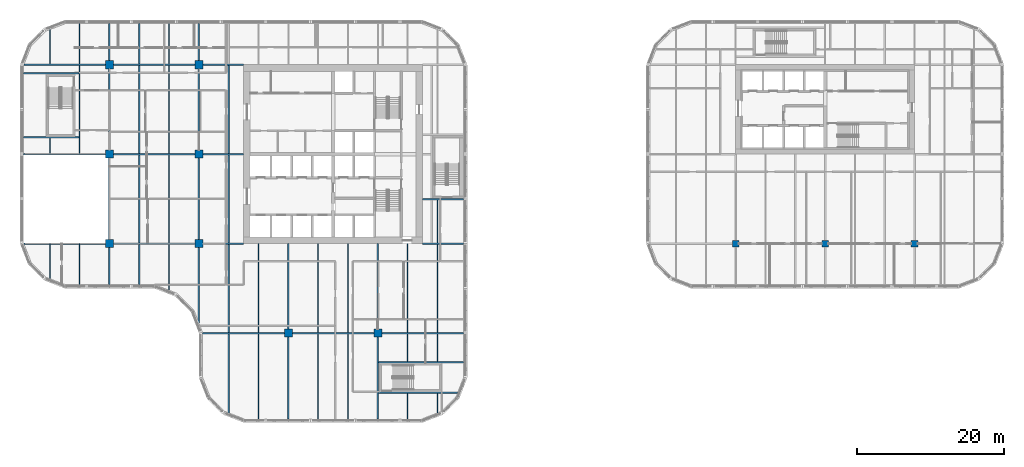
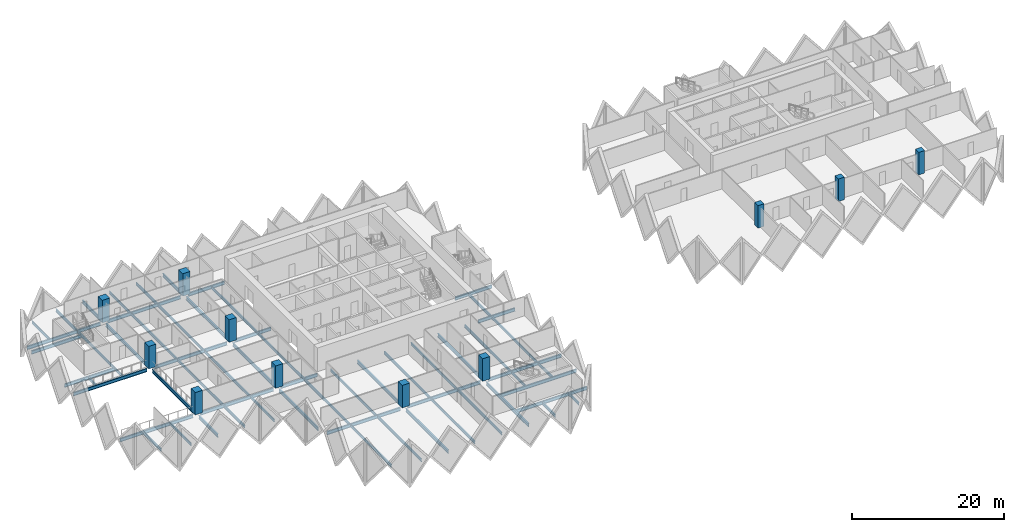
# One storey, part 1 of 18: 61 beams, 11 columns.
"""IFC4 building model written with IfcOpenShell, lengths in metres."""

from ifc_helpers import new_model, si_unit, direction, frame, origin, origin_2d, place, context, subcontext, project, spatial, rectangle, i_section, extrude, material, material_profile, profile_set, type_object, element, save


model = new_model("IFC4")

# Units and contexts
model_context = context("Model", 3, precision=1e-05, world=origin(), true_north=direction((0.0, 1.0)))
body_context = subcontext(model_context, "Body", "Model", "MODEL_VIEW")
ifc_project = project(units=[si_unit("LENGTHUNIT", "METRE"), si_unit("AREAUNIT", "SQUARE_METRE"), si_unit("VOLUMEUNIT", "CUBIC_METRE"), si_unit("PLANEANGLEUNIT", "RADIAN"), si_unit("MASSUNIT", "GRAM", prefix="KILO")], contexts=[model_context])

# Site, building, storey
site_placement = place(None, origin())
site = spatial("IfcSite", under=ifc_project, at=site_placement, CompositionType="ELEMENT")
building_placement = place(site_placement, origin())
building = spatial("IfcBuilding", under=site, at=building_placement, Name="Tessera Gate Towers", CompositionType="ELEMENT")
storey_placement = place(building_placement, frame((0.0, 0.0, 56.199951171875)))
storey = spatial("IfcBuildingStorey", under=building, at=storey_placement, Name="L13", CompositionType="ELEMENT", Elevation=56.199951171875)

# Columns
ifc_material_1 = material(Name="Concrete C70/85", Category="concrete")
ifc_material_profile_1 = material_profile(ifc_material_1, rectangle(XDim=1.10009765625, YDim=1.10009765625, at=origin_2d()), Name="RC 1100x1100")
ifc_profile_set_1 = profile_set([ifc_material_profile_1], Name="Concrete C70/85")
column_type_1 = type_object("IfcColumnType", Name="COLUMN RC 1100x1100", PredefinedType="COLUMN", material=ifc_profile_set_1)
for number, where, z_axis, x_axis, name in (
    (1, (12.199951171875, 24.39990234375, 0.0), (0.0, 0.0, 1.0), (1.0, 0.0, 0.0), "T1-COL-2C-L13"),
    (2, (12.199951171875, 36.60009765625, 0.0), (0.0, 0.0, 1.0), (1.0, 0.0, 0.0), "T1-COL-2D-L13"),
    (3, (12.199951171875, 48.800048828125, 0.0), (0.0, 0.0, 1.0), (1.0, 0.0, 0.0), "T1-COL-2E-L13"),
    (4, (24.39990234375, 24.39990234375, 0.0), (0.0, 0.0, 1.0), (1.0, 0.0, 0.0), "T1-COL-3C-L13"),
    (5, (24.39990234375, 36.60009765625, 0.0), (0.0, 0.0, 1.0), (1.0, 0.0, 0.0), "T1-COL-3D-L13"),
    (6, (24.39990234375, 48.800048828125, 0.0), (0.0, 0.0, 1.0), (1.0, 0.0, 0.0), "T1-COL-3E-L13"),
    (7, (36.60009765625, 12.199951171875, 0.0), (0.0, 0.0, 1.0), (1.0, 0.0, 0.0), "T1-COL-4B-L13"),
    (8, (48.800048828125, 12.199951171875, 0.0), (0.0, 0.0, 1.0), (1.0, 0.0, 0.0), "T1-COL-5B-L13"),
):
    element("IfcColumn", number, at=place(storey_placement, frame(where, z_axis=z_axis, x_axis=x_axis)), inside=storey, type_object=column_type_1, Name=name, PredefinedType="COLUMN", context=body_context, shape_type="SweptSolid", body=[
        extrude(rectangle(XDim=1.10009765625, YDim=1.10009765625, at=origin_2d()), origin(), (0.0, 0.0, 1.0), 3.60009765625),
    ])
ifc_material_2 = material(Name="Concrete C70/85", Category="concrete")
ifc_material_profile_2 = material_profile(ifc_material_2, rectangle(XDim=0.89990234375, YDim=0.89990234375, at=origin_2d()), Name="RC 900x900")
ifc_profile_set_2 = profile_set([ifc_material_profile_2], Name="Concrete C70/85")
column_type_2 = type_object("IfcColumnType", Name="COLUMN RC 900x900", PredefinedType="COLUMN", material=ifc_profile_set_2)
for number, where, z_axis, x_axis, name in (
    (9, (97.60009765625, 24.39990234375, 0.0), (0.0, 0.0, 1.0), (1.0, 0.0, 0.0), "T2-COL-9C-L13"),
    (10, (109.800048828125, 24.39990234375, 0.0), (0.0, 0.0, 1.0), (1.0, 0.0, 0.0), "T2-COL-10C-L13"),
    (11, (122.0, 24.39990234375, 0.0), (0.0, 0.0, 1.0), (1.0, 0.0, 0.0), "T2-COL-11C-L13"),
):
    element("IfcColumn", number, at=place(storey_placement, frame(where, z_axis=z_axis, x_axis=x_axis)), inside=storey, type_object=column_type_2, Name=name, PredefinedType="COLUMN", context=body_context, shape_type="SweptSolid", body=[
        extrude(rectangle(XDim=0.89990234375, YDim=0.89990234375, at=origin_2d()), origin(), (0.0, 0.0, 1.0), 3.60009765625),
    ])

# Beams
ifc_material_3 = material(Name="Steel 350W", Category="steel")
ifc_material_profile_3 = material_profile(ifc_material_3, i_section(OverallWidth=0.208984375, OverallDepth=0.532958984375, WebThickness=0.01025390625, FlangeThickness=0.015625, at=origin_2d()), Name="W530x92")
ifc_profile_set_3 = profile_set([ifc_material_profile_3], Name="Steel 350W")
beam_type_1 = type_object("IfcBeamType", Name="FLOOR GIRDER W530x92", PredefinedType="BEAM", material=ifc_profile_set_3)
beam_1_placement = place(storey_placement, frame((24.89892578125, 12.199951171875, -0.466552734375), z_axis=(1.0, 0.0, 0.0), x_axis=(0.0, 1.0, 0.0)))
element("IfcBeam", 12, at=beam_1_placement, inside=storey, type_object=beam_type_1, Name="T1-GD-L13-1871", PredefinedType="BEAM", context=body_context, shape_type="SweptSolid", body=[
    extrude(i_section(OverallWidth=0.208984375, OverallDepth=0.532958984375, WebThickness=0.01025390625, FlangeThickness=0.015625, at=origin_2d()), origin(), (0.0, 0.0, 1.0), 11.151123046875),
])
beam_2_placement = place(storey_placement, frame((37.14990234375, 12.199951171875, -0.466552734375), z_axis=(1.0, 0.0, 0.0), x_axis=(0.0, 1.0, 0.0)))
element("IfcBeam", 13, at=beam_2_placement, inside=storey, type_object=beam_type_1, Name="T1-GD-L13-1872", PredefinedType="BEAM", context=body_context, shape_type="SweptSolid", body=[
    extrude(i_section(OverallWidth=0.208984375, OverallDepth=0.532958984375, WebThickness=0.01025390625, FlangeThickness=0.015625, at=origin_2d()), origin(), (0.0, 0.0, 1.0), 11.10009765625),
])
beam_3_placement = place(storey_placement, frame((49.35009765625, 12.199951171875, -0.466552734375), z_axis=(1.0, 0.0, 0.0), x_axis=(0.0, 1.0, 0.0)))
element("IfcBeam", 14, at=beam_3_placement, inside=storey, type_object=beam_type_1, Name="T1-GD-L13-1873", PredefinedType="BEAM", context=body_context, shape_type="SweptSolid", body=[
    extrude(i_section(OverallWidth=0.208984375, OverallDepth=0.532958984375, WebThickness=0.01025390625, FlangeThickness=0.015625, at=origin_2d()), origin(), (0.0, 0.0, 1.0), 11.15087890625),
])
beam_4_placement = place(storey_placement, frame((0.534912109375, 24.39990234375, -0.466552734375), z_axis=(1.0, 0.0, 0.0), x_axis=(0.0, 1.0, 0.0)))
element("IfcBeam", 15, at=beam_4_placement, inside=storey, type_object=beam_type_1, Name="T1-GD-L13-1874", PredefinedType="BEAM", context=body_context, shape_type="SweptSolid", body=[
    extrude(i_section(OverallWidth=0.208984375, OverallDepth=0.532958984375, WebThickness=0.01025390625, FlangeThickness=0.015625, at=origin_2d()), origin(), (0.0, 0.0, 1.0), 11.114990234375),
])
beam_5_placement = place(storey_placement, frame((12.75, 24.39990234375, -0.466552734375), z_axis=(1.0, 0.0, 0.0), x_axis=(0.0, 1.0, 0.0)))
element("IfcBeam", 16, at=beam_5_placement, inside=storey, type_object=beam_type_1, Name="T1-GD-L13-1875", PredefinedType="BEAM", context=body_context, shape_type="SweptSolid", body=[
    extrude(i_section(OverallWidth=0.208984375, OverallDepth=0.532958984375, WebThickness=0.01025390625, FlangeThickness=0.015625, at=origin_2d()), origin(), (0.0, 0.0, 1.0), 11.10009765625),
])
beam_6_placement = place(storey_placement, frame((24.949951171875, 24.39990234375, -0.466552734375), z_axis=(1.0, 0.0, 0.0), x_axis=(0.0, 1.0, 0.0)))
element("IfcBeam", 17, at=beam_6_placement, inside=storey, type_object=beam_type_1, Name="T1-GD-L13-1876", PredefinedType="BEAM", context=body_context, shape_type="SweptSolid", body=[
    extrude(i_section(OverallWidth=0.208984375, OverallDepth=0.532958984375, WebThickness=0.01025390625, FlangeThickness=0.015625, at=origin_2d()), origin(), (0.0, 0.0, 1.0), 5.549072265625),
])
beam_7_placement = place(storey_placement, frame((54.90087890625, 24.39990234375, -0.466552734375), z_axis=(1.0, 0.0, 0.0), x_axis=(0.0, 1.0, 0.0)))
element("IfcBeam", 18, at=beam_7_placement, inside=storey, type_object=beam_type_1, Name="T1-GD-L13-1877", PredefinedType="BEAM", context=body_context, shape_type="SweptSolid", body=[
    extrude(i_section(OverallWidth=0.208984375, OverallDepth=0.532958984375, WebThickness=0.01025390625, FlangeThickness=0.015625, at=origin_2d()), origin(), (0.0, 0.0, 1.0), 5.60009765625),
])
beam_8_placement = place(storey_placement, frame((0.4990234375, 36.60009765625, -0.466552734375), z_axis=(1.0, 0.0, 0.0), x_axis=(0.0, 1.0, 0.0)))
element("IfcBeam", 19, at=beam_8_placement, inside=storey, type_object=beam_type_1, Name="T1-GD-L13-1878", PredefinedType="BEAM", context=body_context, shape_type="SweptSolid", body=[
    extrude(i_section(OverallWidth=0.208984375, OverallDepth=0.532958984375, WebThickness=0.01025390625, FlangeThickness=0.015625, at=origin_2d()), origin(), (0.0, 0.0, 1.0), 11.15087890625),
])
beam_9_placement = place(storey_placement, frame((12.75, 36.60009765625, -0.466552734375), z_axis=(1.0, 0.0, 0.0), x_axis=(0.0, 1.0, 0.0)))
element("IfcBeam", 20, at=beam_9_placement, inside=storey, type_object=beam_type_1, Name="T1-GD-L13-1879", PredefinedType="BEAM", context=body_context, shape_type="SweptSolid", body=[
    extrude(i_section(OverallWidth=0.208984375, OverallDepth=0.532958984375, WebThickness=0.01025390625, FlangeThickness=0.015625, at=origin_2d()), origin(), (0.0, 0.0, 1.0), 11.10009765625),
])
beam_10_placement = place(storey_placement, frame((24.949951171875, 36.60009765625, -0.466552734375), z_axis=(1.0, 0.0, 0.0), x_axis=(0.0, 1.0, 0.0)))
element("IfcBeam", 21, at=beam_10_placement, inside=storey, type_object=beam_type_1, Name="T1-GD-L13-1880", PredefinedType="BEAM", context=body_context, shape_type="SweptSolid", body=[
    extrude(i_section(OverallWidth=0.208984375, OverallDepth=0.532958984375, WebThickness=0.01025390625, FlangeThickness=0.015625, at=origin_2d()), origin(), (0.0, 0.0, 1.0), 5.551025390625),
])
beam_11_placement = place(storey_placement, frame((0.534912109375, 48.800048828125, -0.466552734375), z_axis=(1.0, 0.0, 0.0), x_axis=(0.0, 1.0, 0.0)))
element("IfcBeam", 22, at=beam_11_placement, inside=storey, type_object=beam_type_1, Name="T1-GD-L13-1882", PredefinedType="BEAM", context=body_context, shape_type="SweptSolid", body=[
    extrude(i_section(OverallWidth=0.208984375, OverallDepth=0.532958984375, WebThickness=0.01025390625, FlangeThickness=0.015625, at=origin_2d()), origin(), (0.0, 0.0, 1.0), 11.114990234375),
])
beam_12_placement = place(storey_placement, frame((12.75, 48.800048828125, -0.466552734375), z_axis=(1.0, 0.0, 0.0), x_axis=(0.0, 1.0, 0.0)))
element("IfcBeam", 23, at=beam_12_placement, inside=storey, type_object=beam_type_1, Name="T1-GD-L13-1883", PredefinedType="BEAM", context=body_context, shape_type="SweptSolid", body=[
    extrude(i_section(OverallWidth=0.208984375, OverallDepth=0.532958984375, WebThickness=0.01025390625, FlangeThickness=0.015625, at=origin_2d()), origin(), (0.0, 0.0, 1.0), 11.10009765625),
])
beam_13_placement = place(storey_placement, frame((24.949951171875, 48.800048828125, -0.466552734375), z_axis=(1.0, 0.0, 0.0), x_axis=(0.0, 1.0, 0.0)))
element("IfcBeam", 24, at=beam_13_placement, inside=storey, type_object=beam_type_1, Name="T1-GD-L13-1884", PredefinedType="BEAM", context=body_context, shape_type="SweptSolid", body=[
    extrude(i_section(OverallWidth=0.208984375, OverallDepth=0.532958984375, WebThickness=0.01025390625, FlangeThickness=0.015625, at=origin_2d()), origin(), (0.0, 0.0, 1.0), 5.549072265625),
])
beam_14_placement = place(storey_placement, frame((12.199951171875, 18.799072265625, -0.466552734375), z_axis=(0.0, 1.0, 0.0), x_axis=(-1.0, 0.0, 0.0)))
element("IfcBeam", 25, at=beam_14_placement, inside=storey, type_object=beam_type_1, Name="T1-GD-L13-1886", PredefinedType="BEAM", context=body_context, shape_type="SweptSolid", body=[
    extrude(i_section(OverallWidth=0.208984375, OverallDepth=0.532958984375, WebThickness=0.01025390625, FlangeThickness=0.015625, at=origin_2d()), origin(), (0.0, 0.0, 1.0), 5.051025390625),
])
for number, where, z_axis, x_axis, name in (
    (26, (12.199951171875, 24.949951171875, -0.466552734375), (0.0, 1.0, 0.0), (-1.0, 0.0, 0.0), "T1-GD-L13-1887"),
    (27, (12.199951171875, 37.14990234375, -0.466552734375), (0.0, 1.0, 0.0), (-1.0, 0.0, 0.0), "T1-GD-L13-1888"),
):
    element("IfcBeam", number, at=place(storey_placement, frame(where, z_axis=z_axis, x_axis=x_axis)), inside=storey, type_object=beam_type_1, Name=name, PredefinedType="BEAM", context=body_context, shape_type="SweptSolid", body=[
        extrude(i_section(OverallWidth=0.208984375, OverallDepth=0.532958984375, WebThickness=0.01025390625, FlangeThickness=0.015625, at=origin_2d()), origin(), (0.0, 0.0, 1.0), 11.10009765625),
    ])
beam_15_placement = place(storey_placement, frame((12.199951171875, 49.35009765625, -0.466552734375), z_axis=(0.0, 1.0, 0.0), x_axis=(-1.0, 0.0, 0.0)))
element("IfcBeam", 28, at=beam_15_placement, inside=storey, type_object=beam_type_1, Name="T1-GD-L13-1889", PredefinedType="BEAM", context=body_context, shape_type="SweptSolid", body=[
    extrude(i_section(OverallWidth=0.208984375, OverallDepth=0.532958984375, WebThickness=0.01025390625, FlangeThickness=0.015625, at=origin_2d()), origin(), (0.0, 0.0, 1.0), 5.05078125),
])
beam_16_placement = place(storey_placement, frame((24.39990234375, 13.58642578125, -0.466552734375), z_axis=(0.0, 1.0, 0.0), x_axis=(-1.0, 0.0, 0.0)))
element("IfcBeam", 29, at=beam_16_placement, inside=storey, type_object=beam_type_1, Name="T1-GD-L13-1890", PredefinedType="BEAM", context=body_context, shape_type="SweptSolid", body=[
    extrude(i_section(OverallWidth=0.208984375, OverallDepth=0.532958984375, WebThickness=0.01025390625, FlangeThickness=0.015625, at=origin_2d()), origin(), (0.0, 0.0, 1.0), 10.263671875),
])
for number, where, z_axis, x_axis, name in (
    (30, (24.39990234375, 24.949951171875, -0.466552734375), (0.0, 1.0, 0.0), (-1.0, 0.0, 0.0), "T1-GD-L13-1891"),
    (31, (24.39990234375, 37.14990234375, -0.466552734375), (0.0, 1.0, 0.0), (-1.0, 0.0, 0.0), "T1-GD-L13-1892"),
):
    element("IfcBeam", number, at=place(storey_placement, frame(where, z_axis=z_axis, x_axis=x_axis)), inside=storey, type_object=beam_type_1, Name=name, PredefinedType="BEAM", context=body_context, shape_type="SweptSolid", body=[
        extrude(i_section(OverallWidth=0.208984375, OverallDepth=0.532958984375, WebThickness=0.01025390625, FlangeThickness=0.015625, at=origin_2d()), origin(), (0.0, 0.0, 1.0), 11.10009765625),
    ])
beam_17_placement = place(storey_placement, frame((24.39990234375, 49.35009765625, -0.466552734375), z_axis=(0.0, 1.0, 0.0), x_axis=(-1.0, 0.0, 0.0)))
element("IfcBeam", 32, at=beam_17_placement, inside=storey, type_object=beam_type_1, Name="T1-GD-L13-1893", PredefinedType="BEAM", context=body_context, shape_type="SweptSolid", body=[
    extrude(i_section(OverallWidth=0.208984375, OverallDepth=0.532958984375, WebThickness=0.01025390625, FlangeThickness=0.015625, at=origin_2d()), origin(), (0.0, 0.0, 1.0), 5.05078125),
])
beam_18_placement = place(storey_placement, frame((36.60009765625, 0.4990234375, -0.466552734375), z_axis=(0.0, 1.0, 0.0), x_axis=(-1.0, 0.0, 0.0)))
element("IfcBeam", 33, at=beam_18_placement, inside=storey, type_object=beam_type_1, Name="T1-GD-L13-1894", PredefinedType="BEAM", context=body_context, shape_type="SweptSolid", body=[
    extrude(i_section(OverallWidth=0.208984375, OverallDepth=0.532958984375, WebThickness=0.01025390625, FlangeThickness=0.015625, at=origin_2d()), origin(), (0.0, 0.0, 1.0), 11.15087890625),
])
beam_19_placement = place(storey_placement, frame((36.60009765625, 12.75, -0.466552734375), z_axis=(0.0, 1.0, 0.0), x_axis=(-1.0, 0.0, 0.0)))
element("IfcBeam", 34, at=beam_19_placement, inside=storey, type_object=beam_type_1, Name="T1-GD-L13-1895", PredefinedType="BEAM", context=body_context, shape_type="SweptSolid", body=[
    extrude(i_section(OverallWidth=0.208984375, OverallDepth=0.532958984375, WebThickness=0.01025390625, FlangeThickness=0.015625, at=origin_2d()), origin(), (0.0, 0.0, 1.0), 11.64990234375),
])
beam_20_placement = place(storey_placement, frame((48.800048828125, 0.4990234375, -0.466552734375), z_axis=(0.0, 1.0, 0.0), x_axis=(-1.0, 0.0, 0.0)))
element("IfcBeam", 35, at=beam_20_placement, inside=storey, type_object=beam_type_1, Name="T1-GD-L13-1896", PredefinedType="BEAM", context=body_context, shape_type="SweptSolid", body=[
    extrude(i_section(OverallWidth=0.208984375, OverallDepth=0.532958984375, WebThickness=0.01025390625, FlangeThickness=0.015625, at=origin_2d()), origin(), (0.0, 0.0, 1.0), 11.15087890625),
])
beam_21_placement = place(storey_placement, frame((48.800048828125, 12.75, -0.466552734375), z_axis=(0.0, 1.0, 0.0), x_axis=(-1.0, 0.0, 0.0)))
element("IfcBeam", 36, at=beam_21_placement, inside=storey, type_object=beam_type_1, Name="T1-GD-L13-1897", PredefinedType="BEAM", context=body_context, shape_type="SweptSolid", body=[
    extrude(i_section(OverallWidth=0.208984375, OverallDepth=0.532958984375, WebThickness=0.01025390625, FlangeThickness=0.015625, at=origin_2d()), origin(), (0.0, 0.0, 1.0), 11.64990234375),
])
for number, where, z_axis, x_axis, name in (
    (37, (0.4990234375, 38.8798828125, -0.466552734375), (1.0, 0.0, 0.0), (0.0, 1.0, 0.0), "T1-GD-L13-1898"),
    (38, (0.4990234375, 47.6201171875, -0.466552734375), (1.0, 0.0, 0.0), (0.0, 1.0, 0.0), "T1-GD-L13-1899"),
):
    element("IfcBeam", number, at=place(storey_placement, frame(where, z_axis=z_axis, x_axis=x_axis)), inside=storey, type_object=beam_type_1, Name=name, PredefinedType="BEAM", context=body_context, shape_type="SweptSolid", body=[
        extrude(i_section(OverallWidth=0.208984375, OverallDepth=0.532958984375, WebThickness=0.01025390625, FlangeThickness=0.015625, at=origin_2d()), origin(), (0.0, 0.0, 1.0), 7.557861328125),
    ])
beam_22_placement = place(storey_placement, frame((48.87646484375, 4.080078125, -0.466552734375), z_axis=(1.0, 0.0, 0.0), x_axis=(0.0, 1.0, 0.0)))
element("IfcBeam", 39, at=beam_22_placement, inside=storey, type_object=beam_type_1, Name="T1-GD-L13-1900", PredefinedType="BEAM", context=body_context, shape_type="SweptSolid", body=[
    extrude(i_section(OverallWidth=0.208984375, OverallDepth=0.532958984375, WebThickness=0.01025390625, FlangeThickness=0.015625, at=origin_2d()), origin(), (0.0, 0.0, 1.0), 10.809326171875),
])
beam_23_placement = place(storey_placement, frame((48.87646484375, 8.219970703125, -0.466552734375), z_axis=(1.0, 0.0, 0.0), x_axis=(0.0, 1.0, 0.0)))
element("IfcBeam", 40, at=beam_23_placement, inside=storey, type_object=beam_type_1, Name="T1-GD-L13-1901", PredefinedType="BEAM", context=body_context, shape_type="SweptSolid", body=[
    extrude(i_section(OverallWidth=0.208984375, OverallDepth=0.532958984375, WebThickness=0.01025390625, FlangeThickness=0.015625, at=origin_2d()), origin(), (0.0, 0.0, 1.0), 11.62451171875),
])
beam_24_placement = place(storey_placement, frame((54.89892578125, 30.47998046875, -0.466552734375), z_axis=(1.0, 0.0, 0.0), x_axis=(0.0, 1.0, 0.0)))
element("IfcBeam", 41, at=beam_24_placement, inside=storey, type_object=beam_type_1, Name="T1-GD-L13-1902", PredefinedType="BEAM", context=body_context, shape_type="SweptSolid", body=[
    extrude(i_section(OverallWidth=0.208984375, OverallDepth=0.532958984375, WebThickness=0.01025390625, FlangeThickness=0.015625, at=origin_2d()), origin(), (0.0, 0.0, 1.0), 5.60205078125),
])
ifc_material_4 = material(Name="Steel 350W", Category="steel")
ifc_material_profile_4 = material_profile(ifc_material_4, i_section(OverallWidth=0.153076171875, OverallDepth=0.455078125, WebThickness=0.008056640625, FlangeThickness=0.01318359375, at=origin_2d()), Name="W460x60")
ifc_profile_set_4 = profile_set([ifc_material_profile_4], Name="Steel 350W")
beam_type_2 = type_object("IfcBeamType", Name="FLOOR SECONDARY W460x60", PredefinedType="BEAM", material=ifc_profile_set_4)
beam_25_placement = place(storey_placement, frame((4.066650390625, 19.620361328125, -0.427490234375), z_axis=(0.0, 1.0, 0.0), x_axis=(-1.0, 0.0, 0.0)))
element("IfcBeam", 42, at=beam_25_placement, inside=storey, type_object=beam_type_2, Name="T1-BM-L13-1905", PredefinedType="BEAM", context=body_context, shape_type="SweptSolid", body=[
    extrude(i_section(OverallWidth=0.153076171875, OverallDepth=0.455078125, WebThickness=0.008056640625, FlangeThickness=0.01318359375, at=origin_2d()), origin(), (0.0, 0.0, 1.0), 4.779541015625),
])
beam_26_placement = place(storey_placement, frame((4.066650390625, 36.70458984375, -0.427490234375), z_axis=(0.0, 1.0, 0.0), x_axis=(-1.0, 0.0, 0.0)))
element("IfcBeam", 43, at=beam_26_placement, inside=storey, type_object=beam_type_2, Name="T1-BM-L13-1906", PredefinedType="BEAM", context=body_context, shape_type="SweptSolid", body=[
    extrude(i_section(OverallWidth=0.153076171875, OverallDepth=0.455078125, WebThickness=0.008056640625, FlangeThickness=0.01318359375, at=origin_2d()), origin(), (0.0, 0.0, 1.0), 2.07080078125),
])
beam_27_placement = place(storey_placement, frame((4.066650390625, 48.904541015625, -0.427490234375), z_axis=(0.0, 1.0, 0.0), x_axis=(-1.0, 0.0, 0.0)))
element("IfcBeam", 44, at=beam_27_placement, inside=storey, type_object=beam_type_2, Name="T1-BM-L13-1907", PredefinedType="BEAM", context=body_context, shape_type="SweptSolid", body=[
    extrude(i_section(OverallWidth=0.153076171875, OverallDepth=0.455078125, WebThickness=0.008056640625, FlangeThickness=0.01318359375, at=origin_2d()), origin(), (0.0, 0.0, 1.0), 4.675048828125),
])
beam_28_placement = place(storey_placement, frame((8.13330078125, 18.800048828125, -0.427490234375), z_axis=(0.0, 1.0, 0.0), x_axis=(-1.0, 0.0, 0.0)))
element("IfcBeam", 45, at=beam_28_placement, inside=storey, type_object=beam_type_2, Name="T1-BM-L13-1908", PredefinedType="BEAM", context=body_context, shape_type="SweptSolid", body=[
    extrude(i_section(OverallWidth=0.153076171875, OverallDepth=0.455078125, WebThickness=0.008056640625, FlangeThickness=0.01318359375, at=origin_2d()), origin(), (0.0, 0.0, 1.0), 5.599853515625),
])
beam_29_placement = place(storey_placement, frame((8.13330078125, 36.70458984375, -0.427490234375), z_axis=(0.0, 1.0, 0.0), x_axis=(-1.0, 0.0, 0.0)))
element("IfcBeam", 46, at=beam_29_placement, inside=storey, type_object=beam_type_2, Name="T1-BM-L13-1909", PredefinedType="BEAM", context=body_context, shape_type="SweptSolid", body=[
    extrude(i_section(OverallWidth=0.153076171875, OverallDepth=0.455078125, WebThickness=0.008056640625, FlangeThickness=0.01318359375, at=origin_2d()), origin(), (0.0, 0.0, 1.0), 11.990966796875),
])
for number, where, z_axis, x_axis, name in (
    (47, (8.13330078125, 48.904541015625, -0.427490234375), (0.0, 1.0, 0.0), (-1.0, 0.0, 0.0), "T1-BM-L13-1910"),
    (48, (16.2666015625, 18.800048828125, -0.427490234375), (0.0, 1.0, 0.0), (-1.0, 0.0, 0.0), "T1-BM-L13-1911"),
):
    element("IfcBeam", number, at=place(storey_placement, frame(where, z_axis=z_axis, x_axis=x_axis)), inside=storey, type_object=beam_type_2, Name=name, PredefinedType="BEAM", context=body_context, shape_type="SweptSolid", body=[
        extrude(i_section(OverallWidth=0.153076171875, OverallDepth=0.455078125, WebThickness=0.008056640625, FlangeThickness=0.01318359375, at=origin_2d()), origin(), (0.0, 0.0, 1.0), 5.495361328125),
    ])
beam_30_placement = place(storey_placement, frame((16.2666015625, 24.50439453125, -0.427490234375), z_axis=(0.0, 1.0, 0.0), x_axis=(-1.0, 0.0, 0.0)))
element("IfcBeam", 49, at=beam_30_placement, inside=storey, type_object=beam_type_2, Name="T1-BM-L13-1912", PredefinedType="BEAM", context=body_context, shape_type="SweptSolid", body=[
    extrude(i_section(OverallWidth=0.153076171875, OverallDepth=0.455078125, WebThickness=0.008056640625, FlangeThickness=0.01318359375, at=origin_2d()), origin(), (0.0, 0.0, 1.0), 11.9912109375),
])
beam_31_placement = place(storey_placement, frame((16.2666015625, 36.70458984375, -0.427490234375), z_axis=(0.0, 1.0, 0.0), x_axis=(-1.0, 0.0, 0.0)))
element("IfcBeam", 50, at=beam_31_placement, inside=storey, type_object=beam_type_2, Name="T1-BM-L13-1913", PredefinedType="BEAM", context=body_context, shape_type="SweptSolid", body=[
    extrude(i_section(OverallWidth=0.153076171875, OverallDepth=0.455078125, WebThickness=0.008056640625, FlangeThickness=0.01318359375, at=origin_2d()), origin(), (0.0, 0.0, 1.0), 11.990966796875),
])
beam_32_placement = place(storey_placement, frame((16.2666015625, 48.904541015625, -0.427490234375), z_axis=(0.0, 1.0, 0.0), x_axis=(-1.0, 0.0, 0.0)))
element("IfcBeam", 51, at=beam_32_placement, inside=storey, type_object=beam_type_2, Name="T1-BM-L13-1914", PredefinedType="BEAM", context=body_context, shape_type="SweptSolid", body=[
    extrude(i_section(OverallWidth=0.153076171875, OverallDepth=0.455078125, WebThickness=0.008056640625, FlangeThickness=0.01318359375, at=origin_2d()), origin(), (0.0, 0.0, 1.0), 5.495361328125),
])
beam_33_placement = place(storey_placement, frame((20.333251953125, 18.051513671875, -0.427490234375), z_axis=(0.0, 1.0, 0.0), x_axis=(-1.0, 0.0, 0.0)))
element("IfcBeam", 52, at=beam_33_placement, inside=storey, type_object=beam_type_2, Name="T1-BM-L13-1915", PredefinedType="BEAM", context=body_context, shape_type="SweptSolid", body=[
    extrude(i_section(OverallWidth=0.153076171875, OverallDepth=0.455078125, WebThickness=0.008056640625, FlangeThickness=0.01318359375, at=origin_2d()), origin(), (0.0, 0.0, 1.0), 6.243896484375),
])
beam_34_placement = place(storey_placement, frame((20.333251953125, 24.50439453125, -0.427490234375), z_axis=(0.0, 1.0, 0.0), x_axis=(-1.0, 0.0, 0.0)))
element("IfcBeam", 53, at=beam_34_placement, inside=storey, type_object=beam_type_2, Name="T1-BM-L13-1916", PredefinedType="BEAM", context=body_context, shape_type="SweptSolid", body=[
    extrude(i_section(OverallWidth=0.153076171875, OverallDepth=0.455078125, WebThickness=0.008056640625, FlangeThickness=0.01318359375, at=origin_2d()), origin(), (0.0, 0.0, 1.0), 11.9912109375),
])
beam_35_placement = place(storey_placement, frame((20.333251953125, 36.70458984375, -0.427490234375), z_axis=(0.0, 1.0, 0.0), x_axis=(-1.0, 0.0, 0.0)))
element("IfcBeam", 54, at=beam_35_placement, inside=storey, type_object=beam_type_2, Name="T1-BM-L13-1917", PredefinedType="BEAM", context=body_context, shape_type="SweptSolid", body=[
    extrude(i_section(OverallWidth=0.153076171875, OverallDepth=0.455078125, WebThickness=0.008056640625, FlangeThickness=0.01318359375, at=origin_2d()), origin(), (0.0, 0.0, 1.0), 11.990966796875),
])
beam_36_placement = place(storey_placement, frame((20.333251953125, 48.904541015625, -0.427490234375), z_axis=(0.0, 1.0, 0.0), x_axis=(-1.0, 0.0, 0.0)))
element("IfcBeam", 55, at=beam_36_placement, inside=storey, type_object=beam_type_2, Name="T1-BM-L13-1918", PredefinedType="BEAM", context=body_context, shape_type="SweptSolid", body=[
    extrude(i_section(OverallWidth=0.153076171875, OverallDepth=0.455078125, WebThickness=0.008056640625, FlangeThickness=0.01318359375, at=origin_2d()), origin(), (0.0, 0.0, 1.0), 5.495361328125),
])
beam_37_placement = place(storey_placement, frame((28.466796875, 1.3203125, -0.427490234375), z_axis=(0.0, 1.0, 0.0), x_axis=(-1.0, 0.0, 0.0)))
element("IfcBeam", 56, at=beam_37_placement, inside=storey, type_object=beam_type_2, Name="T1-BM-L13-1919", PredefinedType="BEAM", context=body_context, shape_type="SweptSolid", body=[
    extrude(i_section(OverallWidth=0.153076171875, OverallDepth=0.455078125, WebThickness=0.008056640625, FlangeThickness=0.01318359375, at=origin_2d()), origin(), (0.0, 0.0, 1.0), 10.775146484375),
])
beam_38_placement = place(storey_placement, frame((28.466796875, 12.304443359375, -0.427490234375), z_axis=(0.0, 1.0, 0.0), x_axis=(-1.0, 0.0, 0.0)))
element("IfcBeam", 57, at=beam_38_placement, inside=storey, type_object=beam_type_2, Name="T1-BM-L13-1920", PredefinedType="BEAM", context=body_context, shape_type="SweptSolid", body=[
    extrude(i_section(OverallWidth=0.153076171875, OverallDepth=0.455078125, WebThickness=0.008056640625, FlangeThickness=0.01318359375, at=origin_2d()), origin(), (0.0, 0.0, 1.0), 11.990966796875),
])
beam_39_placement = place(storey_placement, frame((28.466796875, 24.50439453125, -0.427490234375), z_axis=(0.0, 1.0, 0.0), x_axis=(-1.0, 0.0, 0.0)))
element("IfcBeam", 58, at=beam_39_placement, inside=storey, type_object=beam_type_2, Name="T1-BM-L13-1921", PredefinedType="BEAM", context=body_context, shape_type="SweptSolid", body=[
    extrude(i_section(OverallWidth=0.153076171875, OverallDepth=0.455078125, WebThickness=0.008056640625, FlangeThickness=0.01318359375, at=origin_2d()), origin(), (0.0, 0.0, 1.0), 11.9912109375),
])
beam_40_placement = place(storey_placement, frame((28.466796875, 36.70458984375, -0.427490234375), z_axis=(0.0, 1.0, 0.0), x_axis=(-1.0, 0.0, 0.0)))
element("IfcBeam", 59, at=beam_40_placement, inside=storey, type_object=beam_type_2, Name="T1-BM-L13-1922", PredefinedType="BEAM", context=body_context, shape_type="SweptSolid", body=[
    extrude(i_section(OverallWidth=0.153076171875, OverallDepth=0.455078125, WebThickness=0.008056640625, FlangeThickness=0.01318359375, at=origin_2d()), origin(), (0.0, 0.0, 1.0), 11.990966796875),
])
beam_41_placement = place(storey_placement, frame((32.533203125, 0.5, -0.427490234375), z_axis=(0.0, 1.0, 0.0), x_axis=(-1.0, 0.0, 0.0)))
element("IfcBeam", 60, at=beam_41_placement, inside=storey, type_object=beam_type_2, Name="T1-BM-L13-1924", PredefinedType="BEAM", context=body_context, shape_type="SweptSolid", body=[
    extrude(i_section(OverallWidth=0.153076171875, OverallDepth=0.455078125, WebThickness=0.008056640625, FlangeThickness=0.01318359375, at=origin_2d()), origin(), (0.0, 0.0, 1.0), 11.595458984375),
])
beam_42_placement = place(storey_placement, frame((32.533203125, 12.304443359375, -0.427490234375), z_axis=(0.0, 1.0, 0.0), x_axis=(-1.0, 0.0, 0.0)))
element("IfcBeam", 61, at=beam_42_placement, inside=storey, type_object=beam_type_2, Name="T1-BM-L13-1925", PredefinedType="BEAM", context=body_context, shape_type="SweptSolid", body=[
    extrude(i_section(OverallWidth=0.153076171875, OverallDepth=0.455078125, WebThickness=0.008056640625, FlangeThickness=0.01318359375, at=origin_2d()), origin(), (0.0, 0.0, 1.0), 12.095458984375),
])
beam_43_placement = place(storey_placement, frame((40.666748046875, 0.5, -0.427490234375), z_axis=(0.0, 1.0, 0.0), x_axis=(-1.0, 0.0, 0.0)))
element("IfcBeam", 62, at=beam_43_placement, inside=storey, type_object=beam_type_2, Name="T1-BM-L13-1928", PredefinedType="BEAM", context=body_context, shape_type="SweptSolid", body=[
    extrude(i_section(OverallWidth=0.153076171875, OverallDepth=0.455078125, WebThickness=0.008056640625, FlangeThickness=0.01318359375, at=origin_2d()), origin(), (0.0, 0.0, 1.0), 11.595458984375),
])
beam_44_placement = place(storey_placement, frame((40.666748046875, 12.304443359375, -0.427490234375), z_axis=(0.0, 1.0, 0.0), x_axis=(-1.0, 0.0, 0.0)))
element("IfcBeam", 63, at=beam_44_placement, inside=storey, type_object=beam_type_2, Name="T1-BM-L13-1929", PredefinedType="BEAM", context=body_context, shape_type="SweptSolid", body=[
    extrude(i_section(OverallWidth=0.153076171875, OverallDepth=0.455078125, WebThickness=0.008056640625, FlangeThickness=0.01318359375, at=origin_2d()), origin(), (0.0, 0.0, 1.0), 12.095458984375),
])
beam_45_placement = place(storey_placement, frame((44.7333984375, 0.5, -0.427490234375), z_axis=(0.0, 1.0, 0.0), x_axis=(-1.0, 0.0, 0.0)))
element("IfcBeam", 64, at=beam_45_placement, inside=storey, type_object=beam_type_2, Name="T1-BM-L13-1931", PredefinedType="BEAM", context=body_context, shape_type="SweptSolid", body=[
    extrude(i_section(OverallWidth=0.153076171875, OverallDepth=0.455078125, WebThickness=0.008056640625, FlangeThickness=0.01318359375, at=origin_2d()), origin(), (0.0, 0.0, 1.0), 11.595458984375),
])
beam_46_placement = place(storey_placement, frame((44.7333984375, 12.304443359375, -0.427490234375), z_axis=(0.0, 1.0, 0.0), x_axis=(-1.0, 0.0, 0.0)))
element("IfcBeam", 65, at=beam_46_placement, inside=storey, type_object=beam_type_2, Name="T1-BM-L13-1932", PredefinedType="BEAM", context=body_context, shape_type="SweptSolid", body=[
    extrude(i_section(OverallWidth=0.153076171875, OverallDepth=0.455078125, WebThickness=0.008056640625, FlangeThickness=0.01318359375, at=origin_2d()), origin(), (0.0, 0.0, 1.0), 12.095458984375),
])
beam_47_placement = place(storey_placement, frame((52.86669921875, 0.5, -0.427490234375), z_axis=(0.0, 1.0, 0.0), x_axis=(-1.0, 0.0, 0.0)))
element("IfcBeam", 66, at=beam_47_placement, inside=storey, type_object=beam_type_2, Name="T1-BM-L13-1935", PredefinedType="BEAM", context=body_context, shape_type="SweptSolid", body=[
    extrude(i_section(OverallWidth=0.153076171875, OverallDepth=0.455078125, WebThickness=0.008056640625, FlangeThickness=0.01318359375, at=origin_2d()), origin(), (0.0, 0.0, 1.0), 3.4755859375),
])
beam_48_placement = place(storey_placement, frame((52.86669921875, 8.324462890625, -0.427490234375), z_axis=(0.0, 1.0, 0.0), x_axis=(-1.0, 0.0, 0.0)))
element("IfcBeam", 67, at=beam_48_placement, inside=storey, type_object=beam_type_2, Name="T1-BM-L13-1936", PredefinedType="BEAM", context=body_context, shape_type="SweptSolid", body=[
    extrude(i_section(OverallWidth=0.153076171875, OverallDepth=0.455078125, WebThickness=0.008056640625, FlangeThickness=0.01318359375, at=origin_2d()), origin(), (0.0, 0.0, 1.0), 3.77099609375),
])
beam_49_placement = place(storey_placement, frame((52.86669921875, 12.304443359375, -0.427490234375), z_axis=(0.0, 1.0, 0.0), x_axis=(-1.0, 0.0, 0.0)))
element("IfcBeam", 68, at=beam_49_placement, inside=storey, type_object=beam_type_2, Name="T1-BM-L13-1937", PredefinedType="BEAM", context=body_context, shape_type="SweptSolid", body=[
    extrude(i_section(OverallWidth=0.153076171875, OverallDepth=0.455078125, WebThickness=0.008056640625, FlangeThickness=0.01318359375, at=origin_2d()), origin(), (0.0, 0.0, 1.0), 12.095458984375),
])
beam_50_placement = place(storey_placement, frame((56.933349609375, 1.3203125, -0.427490234375), z_axis=(0.0, 1.0, 0.0), x_axis=(-1.0, 0.0, 0.0)))
element("IfcBeam", 69, at=beam_50_placement, inside=storey, type_object=beam_type_2, Name="T1-BM-L13-1939", PredefinedType="BEAM", context=body_context, shape_type="SweptSolid", body=[
    extrude(i_section(OverallWidth=0.153076171875, OverallDepth=0.455078125, WebThickness=0.008056640625, FlangeThickness=0.01318359375, at=origin_2d()), origin(), (0.0, 0.0, 1.0), 2.6552734375),
])
beam_51_placement = place(storey_placement, frame((56.933349609375, 8.324462890625, -0.427490234375), z_axis=(0.0, 1.0, 0.0), x_axis=(-1.0, 0.0, 0.0)))
element("IfcBeam", 70, at=beam_51_placement, inside=storey, type_object=beam_type_2, Name="T1-BM-L13-1940", PredefinedType="BEAM", context=body_context, shape_type="SweptSolid", body=[
    extrude(i_section(OverallWidth=0.153076171875, OverallDepth=0.455078125, WebThickness=0.008056640625, FlangeThickness=0.01318359375, at=origin_2d()), origin(), (0.0, 0.0, 1.0), 3.77099609375),
])
beam_52_placement = place(storey_placement, frame((56.933349609375, 12.304443359375, -0.427490234375), z_axis=(0.0, 1.0, 0.0), x_axis=(-1.0, 0.0, 0.0)))
element("IfcBeam", 71, at=beam_52_placement, inside=storey, type_object=beam_type_2, Name="T1-BM-L13-1941", PredefinedType="BEAM", context=body_context, shape_type="SweptSolid", body=[
    extrude(i_section(OverallWidth=0.153076171875, OverallDepth=0.455078125, WebThickness=0.008056640625, FlangeThickness=0.01318359375, at=origin_2d()), origin(), (0.0, 0.0, 1.0), 11.990966796875),
])
beam_53_placement = place(storey_placement, frame((56.933349609375, 24.50439453125, -0.427490234375), z_axis=(0.0, 1.0, 0.0), x_axis=(-1.0, 0.0, 0.0)))
element("IfcBeam", 72, at=beam_53_placement, inside=storey, type_object=beam_type_2, Name="T1-BM-L13-1942", PredefinedType="BEAM", context=body_context, shape_type="SweptSolid", body=[
    extrude(i_section(OverallWidth=0.153076171875, OverallDepth=0.455078125, WebThickness=0.008056640625, FlangeThickness=0.01318359375, at=origin_2d()), origin(), (0.0, 0.0, 1.0), 5.87109375),
])

save(model, "model.ifc")
